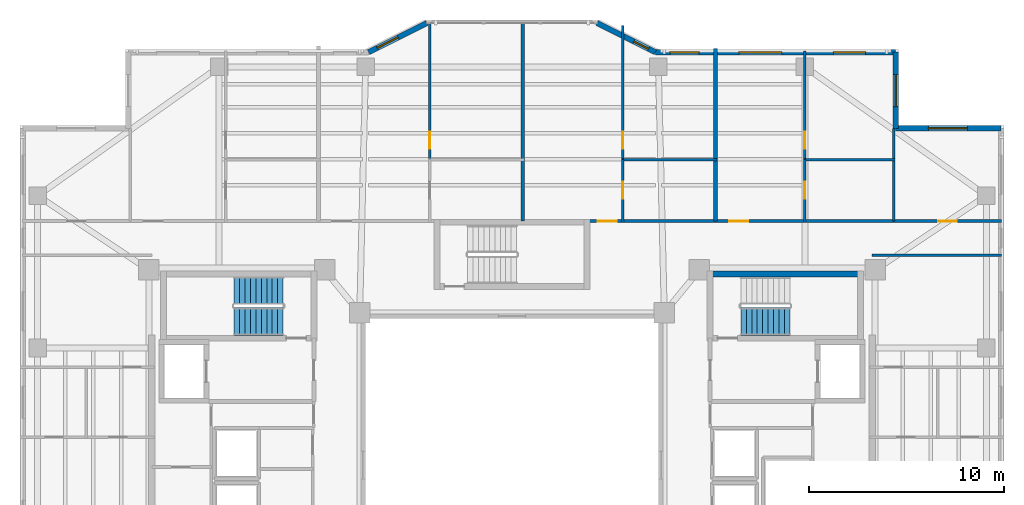
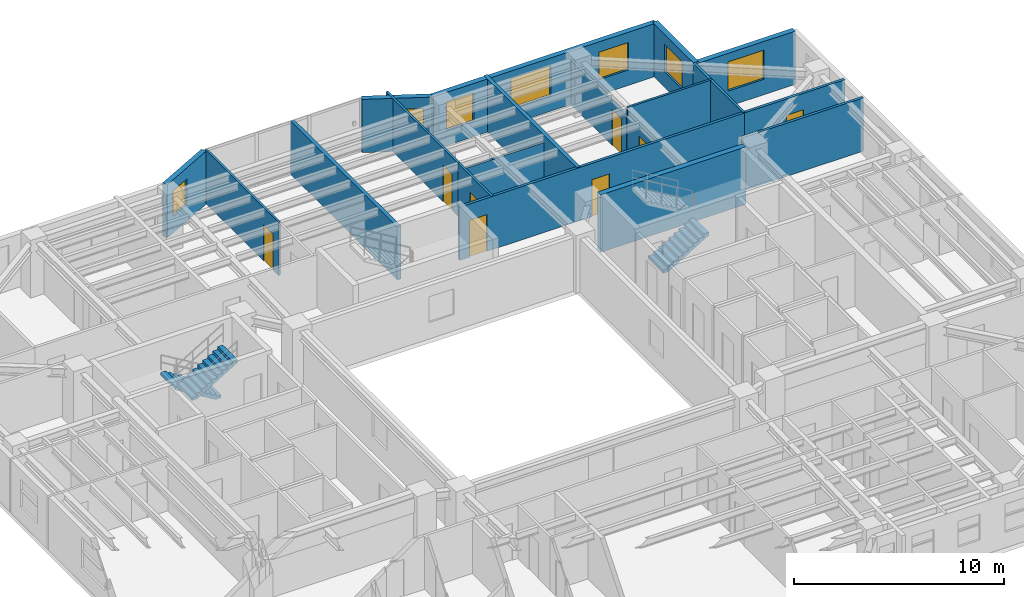
# One storey, part 11 of 16: 19 walls, 8 doors, 7 windows, 3 stair flights, 15 openings, 2 elements without a shape of their own.
"""IFC4 building model written with IfcOpenShell, lengths in metres."""

from ifc_helpers import new_model, si_unit, direction, frame, frame_2d, origin, place, context, subcontext, project, spatial, polyline, rectangle, outline, extrude, material, layer, layer_set, type_object, element, fill, aggregate, save


model = new_model("IFC4")

# Units and contexts
model_context = context("Model", 3, precision=1e-05, world=origin(), true_north=direction((0.0, 1.0)))
body_context = subcontext(model_context, "Body", "Model", "MODEL_VIEW")
ifc_project = project(units=[si_unit("LENGTHUNIT", "METRE"), si_unit("AREAUNIT", "SQUARE_METRE"), si_unit("VOLUMEUNIT", "CUBIC_METRE"), si_unit("PLANEANGLEUNIT", "RADIAN"), si_unit("MASSUNIT", "GRAM", prefix="KILO")], contexts=[model_context])

# Site, building, storey
site_placement = place(None, origin())
site = spatial("IfcSite", under=ifc_project, at=site_placement, CompositionType="ELEMENT")
building_placement = place(site_placement, origin())
building = spatial("IfcBuilding", under=site, at=building_placement, Name="Tarnavaz Court Tower", CompositionType="ELEMENT")
storey_placement = place(building_placement, frame((0.0, 0.0, 135.949951171875)))
storey = spatial("IfcBuildingStorey", under=building, at=storey_placement, Name="L36", CompositionType="ELEMENT", Elevation=135.949951171875)

# Wall
ifc_material_1 = material(Name="Concrete C50/60", Category="concrete")
ifc_layer_1 = layer(ifc_material_1, 0.300048828125)
ifc_layer_set_1 = layer_set([ifc_layer_1], Name="Concrete C50/60")
wall_type_1 = type_object("IfcWallType", Name="WL-CORE-300-C50", PredefinedType="SHEAR", material=ifc_layer_set_1)
wall_1_placement = place(storey_placement, frame((10.0, 9.7900390625, 0.0), z_axis=(0.0, 0.0, 1.0), x_axis=(1.0, 0.0, 0.0)))
element("IfcWall", 1, at=wall_1_placement, inside=storey, type_object=wall_type_1, Name="L36 East Stair Core Wall 005", PredefinedType="SHEAR", context=body_context, shape_type="SweptSolid", body=[
    extrude(rectangle(XDim=8.0, YDim=0.300048828125, at=frame_2d((4.0, 0.0))), origin(), (0.0, 0.0, 1.0), 3.35009765625),
])

# Wall, opening, window
ifc_material_2 = material(Name="Precast Concrete C40/50", Category="concrete")
ifc_layer_2 = layer(ifc_material_2, 0.280029296875)
ifc_layer_set_2 = layer_set([ifc_layer_2], Name="Precast Concrete C40/50")
wall_type_2 = type_object("IfcWallType", Name="WL-EXT-280", PredefinedType="SOLIDWALL", material=ifc_layer_set_2)
wall_2_placement = place(storey_placement, frame((-7.35009765625, 21.14990234375, 0.0), z_axis=(0.0, 0.0, 1.0), x_axis=(0.894427191, 0.4472135955, 0.0)))
wall_2 = element("IfcWall", 2, at=wall_2_placement, inside=storey, type_object=wall_type_2, Name="L36 Exterior Terracotta Facade Wall 06", PredefinedType="SOLIDWALL", context=body_context, shape_type="SweptSolid", body=[
    extrude(rectangle(XDim=3.35400390625, YDim=0.280029296875, at=frame_2d((1.677001953125, 0.0))), origin(), (0.0, 0.0, 1.0), 3.10009765625),
])
opening_1_placement = place(wall_2_placement, frame((0.501220703125, 0.0, 0.949951171875)))
opening_1 = element("IfcOpeningElement", 3, at=opening_1_placement, cuts=wall_2, Name="Opening W05", PredefinedType="OPENING", context=body_context, shape_type="SweptSolid", body=[
    extrude(rectangle(XDim=1.199951171875, YDim=1.5, at=frame_2d((0.60009765625, 0.75))), frame((0.0, 0.14990234375, 0.0), z_axis=(0.0, -1.0, 0.0), x_axis=(1.0, 0.0, 0.0)), (0.0, 0.0, 1.0), 0.300048828125),
])
ifc_material_3 = material(Name="Double-Glazed Solar Low-E Glass", Category="glass")
window_type_1 = type_object("IfcWindowType", Name="WN-APT-1200", PartitioningType="SINGLE_PANEL", PredefinedType="WINDOW", material=ifc_material_3)
window_1_placement = place(opening_1_placement, origin())
window_1 = element("IfcWindow", 4, at=window_1_placement, inside=storey, type_object=window_type_1, Name="L36 Flat 02 Studio Living and Sleeping Room Window", OverallHeight=1.5, OverallWidth=1.199951171875, PartitioningType="SINGLE_PANEL", PredefinedType="WINDOW", context=body_context, shape_type="SweptSolid", body=[
    extrude(rectangle(XDim=1.199951171875, YDim=1.5, at=frame_2d((0.60009765625, 0.75))), frame((0.0, 0.030029296875, 0.0), z_axis=(0.0, -1.0, 0.0), x_axis=(1.0, 0.0, 0.0)), (0.0, 0.0, 1.0), 0.06005859375),
])
fill(opening_1, window_1)

wall_3_placement = place(storey_placement, frame((4.35009765625, 22.64990234375, 0.0), z_axis=(0.0, 0.0, 1.0), x_axis=(0.894427191, -0.4472135955, 0.0)))
wall_3 = element("IfcWall", 5, at=wall_3_placement, inside=storey, type_object=wall_type_2, Name="L36 Exterior Terracotta Facade Wall 08", PredefinedType="SOLIDWALL", context=body_context, shape_type="SweptSolid", body=[
    extrude(rectangle(XDim=3.35400390625, YDim=0.280029296875, at=frame_2d((1.677001953125, 0.0))), origin(), (0.0, 0.0, 1.0), 3.10009765625),
])
opening_2_placement = place(wall_3_placement, frame((2.1083984375, 0.0, 0.949951171875)))
opening_2 = element("IfcOpeningElement", 6, at=opening_2_placement, cuts=wall_3, Name="Opening W15", PredefinedType="OPENING", context=body_context, shape_type="SweptSolid", body=[
    extrude(rectangle(XDim=0.85009765625, YDim=1.5, at=frame_2d((0.425048828125, 0.75))), frame((0.0, 0.14990234375, 0.0), z_axis=(0.0, -1.0, 0.0), x_axis=(1.0, 0.0, 0.0)), (0.0, 0.0, 1.0), 0.300048828125),
])
window_type_2 = type_object("IfcWindowType", Name="WN-APT-850", PartitioningType="SINGLE_PANEL", PredefinedType="WINDOW", material=ifc_material_3)
window_2_placement = place(opening_2_placement, origin())
window_2 = element("IfcWindow", 7, at=window_2_placement, inside=storey, type_object=window_type_2, Name="L36 Flat 03 Kitchen Window", OverallHeight=1.5, OverallWidth=0.85009765625, PartitioningType="SINGLE_PANEL", PredefinedType="WINDOW", context=body_context, shape_type="SweptSolid", body=[
    extrude(rectangle(XDim=0.85009765625, YDim=1.5, at=frame_2d((0.425048828125, 0.75))), frame((0.0, 0.030029296875, 0.0), z_axis=(0.0, -1.0, 0.0), x_axis=(1.0, 0.0, 0.0)), (0.0, 0.0, 1.0), 0.06005859375),
])
fill(opening_2, window_2)

# Wall, openings, windows
wall_4_placement = place(storey_placement, frame((7.35009765625, 21.14990234375, 0.0), z_axis=(0.0, 0.0, 1.0), x_axis=(1.0, 0.0, 0.0)))
wall_4 = element("IfcWall", 8, at=wall_4_placement, inside=storey, type_object=wall_type_2, Name="L36 Exterior Terracotta Facade Wall 09", PredefinedType="SOLIDWALL", context=body_context, shape_type="SweptSolid", body=[
    extrude(rectangle(XDim=12.2998046875, YDim=0.280029296875, at=frame_2d((6.14990234375, 0.0))), origin(), (0.0, 0.0, 1.0), 3.10009765625),
])
opening_3_placement = place(wall_4_placement, frame((0.73095703125, 0.0, 0.89990234375)))
opening_3 = element("IfcOpeningElement", 9, at=opening_3_placement, cuts=wall_4, Name="Opening W03", PredefinedType="OPENING", context=body_context, shape_type="SweptSolid", body=[
    extrude(rectangle(XDim=1.5, YDim=1.64990234375, at=frame_2d((0.75, 0.824951171875))), frame((0.0, 0.14990234375, 0.0), z_axis=(0.0, -1.0, 0.0), x_axis=(1.0, 0.0, 0.0)), (0.0, 0.0, 1.0), 0.300048828125),
])
opening_4_placement = place(wall_4_placement, frame((4.271728515625, 0.0, 0.89990234375)))
opening_4 = element("IfcOpeningElement", 10, at=opening_4_placement, cuts=wall_4, Name="Opening W07", PredefinedType="OPENING", context=body_context, shape_type="SweptSolid", body=[
    extrude(rectangle(XDim=2.199951171875, YDim=1.75, at=frame_2d((1.10009765625, 0.875))), frame((0.0, 0.14990234375, 0.0), z_axis=(0.0, -1.0, 0.0), x_axis=(1.0, 0.0, 0.0)), (0.0, 0.0, 1.0), 0.300048828125),
])
opening_5_placement = place(wall_4_placement, frame((9.115478515625, 0.0, 0.89990234375)))
opening_5 = element("IfcOpeningElement", 11, at=opening_5_placement, cuts=wall_4, Name="Opening W02", PredefinedType="OPENING", context=body_context, shape_type="SweptSolid", body=[
    extrude(rectangle(XDim=1.64990234375, YDim=1.60009765625, at=frame_2d((0.824951171875, 0.800048828125))), frame((0.0, 0.14990234375, 0.0), z_axis=(0.0, -1.0, 0.0), x_axis=(1.0, 0.0, 0.0)), (0.0, 0.0, 1.0), 0.300048828125),
])
window_type_3 = type_object("IfcWindowType", Name="WN-APT-1500", PartitioningType="DOUBLE_PANEL_VERTICAL", PredefinedType="WINDOW", material=ifc_material_3)
window_3_placement = place(opening_3_placement, origin())
window_3 = element("IfcWindow", 12, at=window_3_placement, inside=storey, type_object=window_type_3, Name="L36 Flat 03 Kitchen Window", OverallHeight=1.64990234375, OverallWidth=1.5, PartitioningType="SINGLE_PANEL", PredefinedType="WINDOW", context=body_context, shape_type="SweptSolid", body=[
    extrude(rectangle(XDim=1.5, YDim=1.64990234375, at=frame_2d((0.75, 0.824951171875))), frame((0.0, 0.030029296875, 0.0), z_axis=(0.0, -1.0, 0.0), x_axis=(1.0, 0.0, 0.0)), (0.0, 0.0, 1.0), 0.06005859375),
])
fill(opening_3, window_3)
window_type_4 = type_object("IfcWindowType", Name="WN-APT-1650", PartitioningType="DOUBLE_PANEL_VERTICAL", PredefinedType="WINDOW", material=ifc_material_3)
window_4_placement = place(opening_5_placement, origin())
window_4 = element("IfcWindow", 13, at=window_4_placement, inside=storey, type_object=window_type_4, Name="L36 Flat 04 Kitchen Window", OverallHeight=1.60009765625, OverallWidth=1.64990234375, PartitioningType="SINGLE_PANEL", PredefinedType="WINDOW", context=body_context, shape_type="SweptSolid", body=[
    extrude(rectangle(XDim=1.64990234375, YDim=1.60009765625, at=frame_2d((0.824951171875, 0.800048828125))), frame((0.0, 0.030029296875, 0.0), z_axis=(0.0, -1.0, 0.0), x_axis=(1.0, 0.0, 0.0)), (0.0, 0.0, 1.0), 0.06005859375),
])
fill(opening_5, window_4)
window_type_5 = type_object("IfcWindowType", Name="WN-APT-2200", PartitioningType="TRIPLE_PANEL_VERTICAL", PredefinedType="WINDOW", material=ifc_material_3)
window_5_placement = place(opening_4_placement, origin())
window_5 = element("IfcWindow", 14, at=window_5_placement, inside=storey, type_object=window_type_5, Name="L36 Flat 04 Studio Living and Sleeping Room Window", OverallHeight=1.75, OverallWidth=2.199951171875, PartitioningType="SINGLE_PANEL", PredefinedType="WINDOW", context=body_context, shape_type="SweptSolid", body=[
    extrude(rectangle(XDim=2.199951171875, YDim=1.75, at=frame_2d((1.10009765625, 0.875))), frame((0.0, 0.030029296875, 0.0), z_axis=(0.0, -1.0, 0.0), x_axis=(1.0, 0.0, 0.0)), (0.0, 0.0, 1.0), 0.06005859375),
])
fill(opening_4, window_5)

# Wall, opening, window
wall_5_placement = place(storey_placement, frame((19.64990234375, 21.14990234375, 0.0), z_axis=(0.0, 0.0, 1.0), x_axis=(0.0, -1.0, 0.0)))
wall_5 = element("IfcWall", 15, at=wall_5_placement, inside=storey, type_object=wall_type_2, Name="L36 Exterior Terracotta Facade Wall 10", PredefinedType="SOLIDWALL", context=body_context, shape_type="SweptSolid", body=[
    extrude(rectangle(XDim=3.89990234375, YDim=0.280029296875, at=frame_2d((1.949951171875, 0.0))), origin(), (0.0, 0.0, 1.0), 3.10009765625),
])
opening_6_placement = place(wall_5_placement, frame((1.142822265625, 0.0, 0.89990234375)))
opening_6 = element("IfcOpeningElement", 16, at=opening_6_placement, cuts=wall_5, Name="Opening W02", PredefinedType="OPENING", context=body_context, shape_type="SweptSolid", body=[
    extrude(rectangle(XDim=1.64990234375, YDim=1.60009765625, at=frame_2d((0.824951171875, 0.800048828125))), frame((0.0, 0.14990234375, 0.0), z_axis=(0.0, -1.0, 0.0), x_axis=(1.0, 0.0, 0.0)), (0.0, 0.0, 1.0), 0.300048828125),
])
window_6_placement = place(opening_6_placement, origin())
window_6 = element("IfcWindow", 17, at=window_6_placement, inside=storey, type_object=window_type_4, Name="L36 Flat 04 Kitchen Window", OverallHeight=1.60009765625, OverallWidth=1.64990234375, PartitioningType="SINGLE_PANEL", PredefinedType="WINDOW", context=body_context, shape_type="SweptSolid", body=[
    extrude(rectangle(XDim=1.64990234375, YDim=1.60009765625, at=frame_2d((0.824951171875, 0.800048828125))), frame((0.0, 0.030029296875, 0.0), z_axis=(0.0, -1.0, 0.0), x_axis=(1.0, 0.0, 0.0)), (0.0, 0.0, 1.0), 0.06005859375),
])
fill(opening_6, window_6)

wall_6_placement = place(storey_placement, frame((19.64990234375, 17.25, 0.0), z_axis=(0.0, 0.0, 1.0), x_axis=(1.0, 0.0, 0.0)))
wall_6 = element("IfcWall", 18, at=wall_6_placement, inside=storey, type_object=wall_type_2, Name="L36 Exterior Terracotta Facade Wall 11", PredefinedType="SOLIDWALL", context=body_context, shape_type="SweptSolid", body=[
    extrude(rectangle(XDim=5.400146484375, YDim=0.280029296875, at=frame_2d((2.7001953125, 0.0))), origin(), (0.0, 0.0, 1.0), 3.10009765625),
])
opening_7_placement = place(wall_6_placement, frame((1.675048828125, 0.0, 0.89990234375)))
opening_7 = element("IfcOpeningElement", 19, at=opening_7_placement, cuts=wall_6, Name="Opening W08", PredefinedType="OPENING", context=body_context, shape_type="SweptSolid", body=[
    extrude(rectangle(XDim=2.0, YDim=1.699951171875, at=frame_2d((1.0, 0.85009765625))), frame((0.0, 0.14990234375, 0.0), z_axis=(0.0, -1.0, 0.0), x_axis=(1.0, 0.0, 0.0)), (0.0, 0.0, 1.0), 0.300048828125),
])
window_type_6 = type_object("IfcWindowType", Name="WN-APT-2000", PartitioningType="DOUBLE_PANEL_VERTICAL", PredefinedType="WINDOW", material=ifc_material_3)
window_7_placement = place(opening_7_placement, origin())
window_7 = element("IfcWindow", 20, at=window_7_placement, inside=storey, type_object=window_type_6, Name="L36 North-East Corner Sunroom Study Window", OverallHeight=1.699951171875, OverallWidth=2.0, PartitioningType="SINGLE_PANEL", PredefinedType="WINDOW", context=body_context, shape_type="SweptSolid", body=[
    extrude(rectangle(XDim=2.0, YDim=1.699951171875, at=frame_2d((1.0, 0.85009765625))), frame((0.0, 0.030029296875, 0.0), z_axis=(0.0, -1.0, 0.0), x_axis=(1.0, 0.0, 0.0)), (0.0, 0.0, 1.0), 0.06005859375),
])
fill(opening_7, window_7)

# Wall, openings, doors
ifc_material_4 = material(Name="Gypsum Fire-Board on Acoustic Metal Stud", Category="masonry")
ifc_layer_3 = layer(ifc_material_4, 0.14990234375)
ifc_layer_set_3 = layer_set([ifc_layer_3], Name="Gypsum Fire-Board on Acoustic Metal Stud")
wall_type_3 = type_object("IfcWallType", Name="WL-FIRE-150", PredefinedType="PARTITIONING", material=ifc_layer_set_3)
wall_7_placement = place(storey_placement, frame((3.85009765625, 12.5, 0.0), z_axis=(0.0, 0.0, 1.0), x_axis=(1.0, 0.0, 0.0)))
wall_7 = element("IfcWall", 21, at=wall_7_placement, inside=storey, type_object=wall_type_3, Name="L36 NE Wing Corridor Wall 073", PredefinedType="PARTITIONING", context=body_context, shape_type="SweptSolid", body=[
    extrude(rectangle(XDim=15.699951171875, YDim=0.14990234375, at=frame_2d((7.85009765625, 0.0))), origin(), (0.0, 0.0, 1.0), 3.10009765625),
])
opening_8_placement = place(wall_7_placement, frame((0.550048828125, 0.0, 0.0)))
opening_8 = element("IfcOpeningElement", 22, at=opening_8_placement, cuts=wall_7, Name="Opening D06", PredefinedType="OPENING", context=body_context, shape_type="SweptSolid", body=[
    extrude(rectangle(XDim=0.9599609375, YDim=2.14990234375, at=frame_2d((0.47998046875, 1.074951171875))), frame((0.0, 0.0849609375, 0.0), z_axis=(0.0, -1.0, 0.0), x_axis=(1.0, 0.0, 0.0)), (0.0, 0.0, 1.0), 0.169921875),
])
opening_9_placement = place(wall_7_placement, frame((7.280029296875, 0.0, 0.0)))
opening_9 = element("IfcOpeningElement", 23, at=opening_9_placement, cuts=wall_7, Name="Opening D06", PredefinedType="OPENING", context=body_context, shape_type="SweptSolid", body=[
    extrude(rectangle(XDim=0.9599609375, YDim=2.14990234375, at=frame_2d((0.47998046875, 1.074951171875))), frame((0.0, 0.0849609375, 0.0), z_axis=(0.0, -1.0, 0.0), x_axis=(1.0, 0.0, 0.0)), (0.0, 0.0, 1.0), 0.169921875),
])
ifc_material_5 = material(Name="Fire-Rated Hardwood Timber Core", Category="wood")
door_type_1 = type_object("IfcDoorType", Name="DR-FD60-950", OperationType="NOTDEFINED", PredefinedType="DOOR", material=ifc_material_5)
door_1_placement = place(opening_8_placement, origin())
door_1 = element("IfcDoor", 24, at=door_1_placement, inside=storey, type_object=door_type_1, Name="L36 Flat 03 Entrance Door", OperationType="SINGLE_SWING_RIGHT", OverallHeight=2.14990234375, OverallWidth=0.9599609375, PredefinedType="DOOR", context=body_context, shape_type="SweptSolid", body=[
    extrude(rectangle(XDim=0.9599609375, YDim=2.14990234375, at=frame_2d((0.47998046875, 1.074951171875))), frame((0.0, 0.02490234375, 0.0), z_axis=(0.0, -1.0, 0.0), x_axis=(1.0, 0.0, 0.0)), (0.0, 0.0, 1.0), 0.050048828125),
])
fill(opening_8, door_1)
door_2_placement = place(opening_9_placement, origin())
door_2 = element("IfcDoor", 25, at=door_2_placement, inside=storey, type_object=door_type_1, Name="L36 Flat 04 Entrance Door", OperationType="SINGLE_SWING_LEFT", OverallHeight=2.14990234375, OverallWidth=0.9599609375, PredefinedType="DOOR", context=body_context, shape_type="SweptSolid", body=[
    extrude(rectangle(XDim=0.9599609375, YDim=2.14990234375, at=frame_2d((0.47998046875, 1.074951171875))), frame((0.0, 0.02490234375, 0.0), z_axis=(0.0, -1.0, 0.0), x_axis=(1.0, 0.0, 0.0)), (0.0, 0.0, 1.0), 0.050048828125),
])
fill(opening_9, door_2)

# Wall
wall_8_placement = place(storey_placement, frame((18.449951171875, 10.75, 0.0), z_axis=(0.0, 0.0, 1.0), x_axis=(1.0, 0.0, 0.0)))
element("IfcWall", 26, at=wall_8_placement, inside=storey, type_object=wall_type_3, Name="L36 Interior Partition 118", PredefinedType="PARTITIONING", context=body_context, shape_type="SweptSolid", body=[
    extrude(rectangle(XDim=6.630126953125, YDim=0.14990234375, at=frame_2d((3.31494140625, 0.0))), origin(), (0.0, 0.0, 1.0), 3.10009765625),
])

# Wall, opening, door
wall_9_placement = place(storey_placement, frame((19.550048828125, 12.5, 0.0), z_axis=(0.0, 0.0, 1.0), x_axis=(1.0, 0.0, 0.0)))
wall_9 = element("IfcWall", 27, at=wall_9_placement, inside=storey, type_object=wall_type_3, Name="L36 Interior Partition 124", PredefinedType="PARTITIONING", context=body_context, shape_type="SweptSolid", body=[
    extrude(rectangle(XDim=5.530029296875, YDim=0.14990234375, at=frame_2d((2.76513671875, 0.0))), origin(), (0.0, 0.0, 1.0), 3.10009765625),
])
opening_10_placement = place(wall_9_placement, frame((2.2900390625, 0.0, 0.0)))
opening_10 = element("IfcOpeningElement", 28, at=opening_10_placement, cuts=wall_9, Name="Opening D13", PredefinedType="OPENING", context=body_context, shape_type="SweptSolid", body=[
    extrude(rectangle(XDim=0.949951171875, YDim=2.14990234375, at=frame_2d((0.47509765625, 1.074951171875))), frame((0.0, 0.0849609375, 0.0), z_axis=(0.0, -1.0, 0.0), x_axis=(1.0, 0.0, 0.0)), (0.0, 0.0, 1.0), 0.169921875),
])
ifc_material_6 = material(Name="Engineered Oak Timber", Category="wood")
door_type_2 = type_object("IfcDoorType", Name="DR-INT-950", OperationType="NOTDEFINED", PredefinedType="DOOR", material=ifc_material_6)
door_3_placement = place(opening_10_placement, origin())
door_3 = element("IfcDoor", 29, at=door_3_placement, inside=storey, type_object=door_type_2, Name="L36 NE Sunroom Door", OperationType="SINGLE_SWING_LEFT", OverallHeight=2.14990234375, OverallWidth=0.949951171875, PredefinedType="DOOR", context=body_context, shape_type="SweptSolid", body=[
    extrude(rectangle(XDim=0.949951171875, YDim=2.14990234375, at=frame_2d((0.47509765625, 1.074951171875))), frame((0.0, 0.02490234375, 0.0), z_axis=(0.0, -1.0, 0.0), x_axis=(1.0, 0.0, 0.0)), (0.0, 0.0, 1.0), 0.050048828125),
])
fill(opening_10, door_3)

# Walls
ifc_material_7 = material(Name="Autoclaved Aerated Concrete Blockwork", Category="masonry")
ifc_layer_4 = layer(ifc_material_7, 0.199951171875)
ifc_layer_set_4 = layer_set([ifc_layer_4], Name="Autoclaved Aerated Concrete Blockwork")
wall_type_4 = type_object("IfcWallType", Name="WL-FIRE-200", PredefinedType="SOLIDWALL", material=ifc_layer_set_4)
wall_10_placement = place(storey_placement, frame((0.550048828125, 12.5, 0.0), z_axis=(0.0, 0.0, 1.0), x_axis=(0.0, 1.0, 0.0)))
element("IfcWall", 30, at=wall_10_placement, inside=storey, type_object=wall_type_4, Name="L36 North Center Party Wall 076", PredefinedType="SOLIDWALL", context=body_context, shape_type="SweptSolid", body=[
    extrude(rectangle(XDim=10.179931640625, YDim=0.199951171875, at=frame_2d((5.08984375, 0.0))), origin(), (0.0, 0.0, 1.0), 3.10009765625),
])
wall_11_placement = place(storey_placement, frame((10.429931640625, 12.5, 0.0), z_axis=(0.0, 0.0, 1.0), x_axis=(0.0, 1.0, 0.0)))
element("IfcWall", 31, at=wall_11_placement, inside=storey, type_object=wall_type_4, Name="L36 Party Wall 084", PredefinedType="SOLIDWALL", context=body_context, shape_type="SweptSolid", body=[
    extrude(rectangle(XDim=8.841064453125, YDim=0.199951171875, at=frame_2d((4.42041015625, 0.0))), origin(), (0.0, 0.0, 1.0), 3.10009765625),
])

# Wall, opening, door
ifc_material_8 = material(Name="Moisture-Resistant Gypsum Board Partition", Category="masonry")
ifc_layer_5 = layer(ifc_material_8, 0.1201171875)
ifc_layer_set_5 = layer_set([ifc_layer_5], Name="Moisture-Resistant Gypsum Board Partition")
wall_type_5 = type_object("IfcWallType", Name="WL-PART-120", PredefinedType="PARTITIONING", material=ifc_layer_set_5)
wall_12_placement = place(storey_placement, frame((-4.2099609375, 15.64990234375, 0.0), z_axis=(0.0, 0.0, 1.0), x_axis=(0.0, 1.0, 0.0)))
wall_12 = element("IfcWall", 32, at=wall_12_placement, inside=storey, type_object=wall_type_5, Name="L36 Interior Partition 082", PredefinedType="PARTITIONING", context=body_context, shape_type="SweptSolid", body=[
    extrude(rectangle(XDim=7.030029296875, YDim=0.1201171875, at=frame_2d((3.51513671875, 0.0))), origin(), (0.0, 0.0, 1.0), 3.10009765625),
])
opening_11_placement = place(wall_12_placement, frame((0.550048828125, 0.0, 0.0)))
opening_11 = element("IfcOpeningElement", 33, at=opening_11_placement, cuts=wall_12, Name="Opening D14", PredefinedType="OPENING", context=body_context, shape_type="SweptSolid", body=[
    extrude(rectangle(XDim=0.8798828125, YDim=2.10009765625, at=frame_2d((0.43994140625, 1.050048828125))), frame((0.0, 0.070068359375, 0.0), z_axis=(0.0, -1.0, 0.0), x_axis=(1.0, 0.0, 0.0)), (0.0, 0.0, 1.0), 0.14013671875),
])
door_type_3 = type_object("IfcDoorType", Name="DR-INT-900", OperationType="NOTDEFINED", PredefinedType="DOOR", material=ifc_material_6)
door_4_placement = place(opening_11_placement, origin())
door_4 = element("IfcDoor", 34, at=door_4_placement, inside=storey, type_object=door_type_3, Name="L36 Flat 02 Kitchen Door", OperationType="SINGLE_SWING_LEFT", OverallHeight=2.10009765625, OverallWidth=0.8798828125, PredefinedType="DOOR", context=body_context, shape_type="SweptSolid", body=[
    extrude(rectangle(XDim=0.8798828125, YDim=2.10009765625, at=frame_2d((0.43994140625, 1.050048828125))), frame((0.0, 0.02490234375, 0.0), z_axis=(0.0, -1.0, 0.0), x_axis=(1.0, 0.0, 0.0)), (0.0, 0.0, 1.0), 0.050048828125),
])
fill(opening_11, door_4)

wall_13_placement = place(storey_placement, frame((5.669921875, 12.43994140625, 0.0), z_axis=(0.0, 0.0, 1.0), x_axis=(0.0, 1.0, 0.0)))
wall_13 = element("IfcWall", 35, at=wall_13_placement, inside=storey, type_object=wall_type_5, Name="L36 Interior Partition 085", PredefinedType="PARTITIONING", context=body_context, shape_type="SweptSolid", body=[
    extrude(rectangle(XDim=3.2099609375, YDim=0.1201171875, at=frame_2d((1.60498046875, 0.0))), origin(), (0.0, 0.0, 1.0), 3.10009765625),
])
opening_12_placement = place(wall_13_placement, frame((1.195068359375, 0.0, 0.0)))
opening_12 = element("IfcOpeningElement", 36, at=opening_12_placement, cuts=wall_13, Name="Opening D14", PredefinedType="OPENING", context=body_context, shape_type="SweptSolid", body=[
    extrude(rectangle(XDim=0.8798828125, YDim=2.10009765625, at=frame_2d((0.43994140625, 1.050048828125))), frame((0.0, 0.070068359375, 0.0), z_axis=(0.0, -1.0, 0.0), x_axis=(1.0, 0.0, 0.0)), (0.0, 0.0, 1.0), 0.14013671875),
])
door_5_placement = place(opening_12_placement, origin())
door_5 = element("IfcDoor", 37, at=door_5_placement, inside=storey, type_object=door_type_3, Name="L36 Flat 03 Bathroom Door", OperationType="SINGLE_SWING_LEFT", OverallHeight=2.10009765625, OverallWidth=0.8798828125, PredefinedType="DOOR", context=body_context, shape_type="SweptSolid", body=[
    extrude(rectangle(XDim=0.8798828125, YDim=2.10009765625, at=frame_2d((0.43994140625, 1.050048828125))), frame((0.0, 0.02490234375, 0.0), z_axis=(0.0, -1.0, 0.0), x_axis=(1.0, 0.0, 0.0)), (0.0, 0.0, 1.0), 0.050048828125),
])
fill(opening_12, door_5)

wall_14_placement = place(storey_placement, frame((5.669921875, 15.64990234375, 0.0), z_axis=(0.0, 0.0, 1.0), x_axis=(0.0, 1.0, 0.0)))
wall_14 = element("IfcWall", 38, at=wall_14_placement, inside=storey, type_object=wall_type_5, Name="L36 Interior Partition 086", PredefinedType="PARTITIONING", context=body_context, shape_type="SweptSolid", body=[
    extrude(rectangle(XDim=6.864990234375, YDim=0.1201171875, at=frame_2d((3.4326171875, 0.0))), origin(), (0.0, 0.0, 1.0), 3.10009765625),
])
opening_13_placement = place(wall_14_placement, frame((0.550048828125, 0.0, 0.0)))
opening_13 = element("IfcOpeningElement", 39, at=opening_13_placement, cuts=wall_14, Name="Opening D14", PredefinedType="OPENING", context=body_context, shape_type="SweptSolid", body=[
    extrude(rectangle(XDim=0.8798828125, YDim=2.10009765625, at=frame_2d((0.43994140625, 1.050048828125))), frame((0.0, 0.070068359375, 0.0), z_axis=(0.0, -1.0, 0.0), x_axis=(1.0, 0.0, 0.0)), (0.0, 0.0, 1.0), 0.14013671875),
])
door_6_placement = place(opening_13_placement, origin())
door_6 = element("IfcDoor", 40, at=door_6_placement, inside=storey, type_object=door_type_3, Name="L36 Flat 03 Kitchen Door", OperationType="SINGLE_SWING_RIGHT", OverallHeight=2.10009765625, OverallWidth=0.8798828125, PredefinedType="DOOR", context=body_context, shape_type="SweptSolid", body=[
    extrude(rectangle(XDim=0.8798828125, YDim=2.10009765625, at=frame_2d((0.43994140625, 1.050048828125))), frame((0.0, 0.02490234375, 0.0), z_axis=(0.0, -1.0, 0.0), x_axis=(1.0, 0.0, 0.0)), (0.0, 0.0, 1.0), 0.050048828125),
])
fill(opening_13, door_6)

# Wall
wall_15_placement = place(storey_placement, frame((5.610107421875, 15.64990234375, 0.0), z_axis=(0.0, 0.0, 1.0), x_axis=(1.0, 0.0, 0.0)))
element("IfcWall", 41, at=wall_15_placement, inside=storey, type_object=wall_type_5, Name="L36 Interior Partition 087", PredefinedType="PARTITIONING", context=body_context, shape_type="SweptSolid", body=[
    extrude(rectangle(XDim=4.8798828125, YDim=0.1201171875, at=frame_2d((2.43994140625, 0.0))), origin(), (0.0, 0.0, 1.0), 2.68505859375),
])

# Wall, opening, door
wall_16_placement = place(storey_placement, frame((14.989990234375, 12.43994140625, 0.0), z_axis=(0.0, 0.0, 1.0), x_axis=(0.0, 1.0, 0.0)))
wall_16 = element("IfcWall", 42, at=wall_16_placement, inside=storey, type_object=wall_type_5, Name="L36 Interior Partition 088", PredefinedType="PARTITIONING", context=body_context, shape_type="SweptSolid", body=[
    extrude(rectangle(XDim=3.2099609375, YDim=0.1201171875, at=frame_2d((1.60498046875, 0.0))), origin(), (0.0, 0.0, 1.0), 2.5849609375),
])
opening_14_placement = place(wall_16_placement, frame((1.195068359375, 0.0, 0.0)))
opening_14 = element("IfcOpeningElement", 43, at=opening_14_placement, cuts=wall_16, Name="Opening D14", PredefinedType="OPENING", context=body_context, shape_type="SweptSolid", body=[
    extrude(rectangle(XDim=0.8798828125, YDim=2.10009765625, at=frame_2d((0.43994140625, 1.050048828125))), frame((0.0, 0.070068359375, 0.0), z_axis=(0.0, -1.0, 0.0), x_axis=(1.0, 0.0, 0.0)), (0.0, 0.0, 1.0), 0.14013671875),
])
door_7_placement = place(opening_14_placement, origin())
door_7 = element("IfcDoor", 44, at=door_7_placement, inside=storey, type_object=door_type_3, Name="L36 Flat 04 Bathroom Door", OperationType="SINGLE_SWING_RIGHT", OverallHeight=2.10009765625, OverallWidth=0.8798828125, PredefinedType="DOOR", context=body_context, shape_type="SweptSolid", body=[
    extrude(rectangle(XDim=0.8798828125, YDim=2.10009765625, at=frame_2d((0.43994140625, 1.050048828125))), frame((0.0, 0.02490234375, 0.0), z_axis=(0.0, -1.0, 0.0), x_axis=(1.0, 0.0, 0.0)), (0.0, 0.0, 1.0), 0.050048828125),
])
fill(opening_14, door_7)

wall_17_placement = place(storey_placement, frame((14.989990234375, 15.64990234375, 0.0), z_axis=(0.0, 0.0, 1.0), x_axis=(0.0, 1.0, 0.0)))
wall_17 = element("IfcWall", 45, at=wall_17_placement, inside=storey, type_object=wall_type_5, Name="L36 Interior Partition 089", PredefinedType="PARTITIONING", context=body_context, shape_type="SweptSolid", body=[
    extrude(rectangle(XDim=5.550048828125, YDim=0.1201171875, at=frame_2d((2.77490234375, 0.0))), origin(), (0.0, 0.0, 1.0), 2.5849609375),
])
opening_15_placement = place(wall_17_placement, frame((0.550048828125, 0.0, 0.0)))
opening_15 = element("IfcOpeningElement", 46, at=opening_15_placement, cuts=wall_17, Name="Opening D14", PredefinedType="OPENING", context=body_context, shape_type="SweptSolid", body=[
    extrude(rectangle(XDim=0.8798828125, YDim=2.10009765625, at=frame_2d((0.43994140625, 1.050048828125))), frame((0.0, 0.070068359375, 0.0), z_axis=(0.0, -1.0, 0.0), x_axis=(1.0, 0.0, 0.0)), (0.0, 0.0, 1.0), 0.14013671875),
])
door_8_placement = place(opening_15_placement, origin())
door_8 = element("IfcDoor", 47, at=door_8_placement, inside=storey, type_object=door_type_3, Name="L36 Flat 04 Kitchen Door", OperationType="SINGLE_SWING_LEFT", OverallHeight=2.10009765625, OverallWidth=0.8798828125, PredefinedType="DOOR", context=body_context, shape_type="SweptSolid", body=[
    extrude(rectangle(XDim=0.8798828125, YDim=2.10009765625, at=frame_2d((0.43994140625, 1.050048828125))), frame((0.0, 0.02490234375, 0.0), z_axis=(0.0, -1.0, 0.0), x_axis=(1.0, 0.0, 0.0)), (0.0, 0.0, 1.0), 0.050048828125),
])
fill(opening_15, door_8)

# Walls
wall_18_placement = place(storey_placement, frame((14.929931640625, 15.64990234375, 0.0), z_axis=(0.0, 0.0, 1.0), x_axis=(1.0, 0.0, 0.0)))
element("IfcWall", 48, at=wall_18_placement, inside=storey, type_object=wall_type_5, Name="L36 Interior Partition 090", PredefinedType="PARTITIONING", context=body_context, shape_type="SweptSolid", body=[
    extrude(rectangle(XDim=4.68017578125, YDim=0.1201171875, at=frame_2d((2.340087890625, 0.0))), origin(), (0.0, 0.0, 1.0), 3.10009765625),
])
ifc_material_9 = material(Name="Gypsum Plasterboard Acoustic Partition", Category="masonry")
ifc_layer_6 = layer(ifc_material_9, 0.139892578125)
ifc_layer_set_6 = layer_set([ifc_layer_6], Name="Gypsum Plasterboard Acoustic Partition")
wall_type_6 = type_object("IfcWallType", Name="WL-PART-150", PredefinedType="PARTITIONING", material=ifc_layer_set_6)
wall_19_placement = place(storey_placement, frame((19.550048828125, 12.5, 0.0), z_axis=(0.0, 0.0, 1.0), x_axis=(0.0, 1.0, 0.0)))
element("IfcWall", 49, at=wall_19_placement, inside=storey, type_object=wall_type_6, Name="L36 Interior Partition 122", PredefinedType="PARTITIONING", context=body_context, shape_type="SweptSolid", body=[
    extrude(rectangle(XDim=4.75, YDim=0.139892578125, at=frame_2d((2.375, 0.0))), origin(), (0.0, 0.0, 1.0), 3.10009765625),
])

# Stair, stair flights
ifc_material_10 = material(Name="Concrete C40/50", Category="concrete")
stair_type = type_object("IfcStairType", Name="ST-TWR-20R", PredefinedType="HALF_TURN_STAIR", material=ifc_material_10)
stair_1_placement = place(storey_placement, origin())
stair_1 = element("IfcStair", 50, at=stair_1_placement, inside=storey, type_object=stair_type, Name="L36 West Core Pressurized Exit Stair ST-W1", PredefinedType="HALF_TURN_STAIR")
stair_flight_type = type_object("IfcStairFlightType", Name="SFL-RC-20R", PredefinedType="STRAIGHT", material=ifc_material_10)
stair_flight_1_placement = place(storey_placement, frame((-11.719970703125, 8.929931640625, 0.0), z_axis=(0.0, 0.0, 1.0), x_axis=(-1.0, 0.0, 0.0)))
stair_flight_1 = element("IfcStairFlight", 51, at=stair_flight_1_placement, type_object=stair_flight_type, Name="ST-W1 flight 1", NumberOfRisers=10, NumberOfTreads=9, PredefinedType="STRAIGHT", RiserHeight=0.1675, TreadLength=0.28, context=body_context, shape_type="SweptSolid", body=[
    extrude(outline(polyline([(0.0, 0.0), (0.0, 0.16748046875), (0.280029296875, 0.16748046875), (0.280029296875, 0.3349609375), (0.56005859375, 0.3349609375), (0.56005859375, 0.50244140625), (0.840087890625, 0.50244140625), (0.840087890625, 0.669921875), (1.1201171875, 0.669921875), (1.1201171875, 0.83740234375), (1.39990234375, 0.83740234375), (1.39990234375, 1.0048828125), (1.679931640625, 1.0048828125), (1.679931640625, 1.172607421875), (1.9599609375, 1.172607421875), (1.9599609375, 1.340087890625), (2.239990234375, 1.340087890625), (2.239990234375, 1.507568359375), (2.52001953125, 1.507568359375), (2.52001953125, 1.675048828125), (2.52001953125, 1.332763671875), (0.2919921875, 0.0), (0.0, 0.0)])), frame((0.0, 0.7099609375, 0.0), z_axis=(0.0, -1.0, 0.0), x_axis=(1.0, 0.0, 0.0)), (0.0, 0.0, 1.0), 1.419921875),
])
stair_flight_2_placement = place(storey_placement, frame((-14.239990234375, 7.360107421875, 1.675048828125), z_axis=(0.0, 0.0, 1.0), x_axis=(1.0, 0.0, 0.0)))
stair_flight_2 = element("IfcStairFlight", 52, at=stair_flight_2_placement, type_object=stair_flight_type, Name="ST-W1 flight 2", NumberOfRisers=10, NumberOfTreads=9, PredefinedType="STRAIGHT", RiserHeight=0.1675, TreadLength=0.28, context=body_context, shape_type="SweptSolid", body=[
    extrude(outline(polyline([(0.0, 0.0), (0.0, 0.16748046875), (0.280029296875, 0.16748046875), (0.280029296875, 0.3349609375), (0.56005859375, 0.3349609375), (0.56005859375, 0.50244140625), (0.840087890625, 0.50244140625), (0.840087890625, 0.669921875), (1.1201171875, 0.669921875), (1.1201171875, 0.83740234375), (1.39990234375, 0.83740234375), (1.39990234375, 1.0048828125), (1.679931640625, 1.0048828125), (1.679931640625, 1.172607421875), (1.9599609375, 1.172607421875), (1.9599609375, 1.340087890625), (2.239990234375, 1.340087890625), (2.239990234375, 1.507568359375), (2.52001953125, 1.507568359375), (2.52001953125, 1.675048828125), (2.52001953125, 1.332763671875), (0.2919921875, 0.0), (0.0, 0.0)])), frame((0.0, 0.7099609375, 0.0), z_axis=(0.0, -1.0, 0.0), x_axis=(1.0, 0.0, 0.0)), (0.0, 0.0, 1.0), 1.419921875),
])
aggregate(stair_1, [stair_flight_1, stair_flight_2])

# Stair, stair flight
stair_2_placement = place(storey_placement, origin())
stair_2 = element("IfcStair", 53, at=stair_2_placement, inside=storey, type_object=stair_type, Name="L36 East Core Pressurized Exit Stair ST-E1", PredefinedType="HALF_TURN_STAIR")
stair_flight_3_placement = place(storey_placement, frame((11.719970703125, 7.360107421875, 0.0), z_axis=(0.0, 0.0, 1.0), x_axis=(1.0, 0.0, 0.0)))
stair_flight_3 = element("IfcStairFlight", 54, at=stair_flight_3_placement, type_object=stair_flight_type, Name="ST-E1 flight 1", NumberOfRisers=10, NumberOfTreads=9, PredefinedType="STRAIGHT", RiserHeight=0.1675, TreadLength=0.28, context=body_context, shape_type="SweptSolid", body=[
    extrude(outline(polyline([(0.0, 0.0), (0.0, 0.16748046875), (0.280029296875, 0.16748046875), (0.280029296875, 0.3349609375), (0.56005859375, 0.3349609375), (0.56005859375, 0.50244140625), (0.840087890625, 0.50244140625), (0.840087890625, 0.669921875), (1.1201171875, 0.669921875), (1.1201171875, 0.83740234375), (1.39990234375, 0.83740234375), (1.39990234375, 1.0048828125), (1.679931640625, 1.0048828125), (1.679931640625, 1.172607421875), (1.9599609375, 1.172607421875), (1.9599609375, 1.340087890625), (2.239990234375, 1.340087890625), (2.239990234375, 1.507568359375), (2.52001953125, 1.507568359375), (2.52001953125, 1.675048828125), (2.52001953125, 1.332763671875), (0.2919921875, 0.0), (0.0, 0.0)])), frame((0.0, 0.7099609375, 0.0), z_axis=(0.0, -1.0, 0.0), x_axis=(1.0, 0.0, 0.0)), (0.0, 0.0, 1.0), 1.419921875),
])
aggregate(stair_2, [stair_flight_3])

save(model, "model.ifc")
